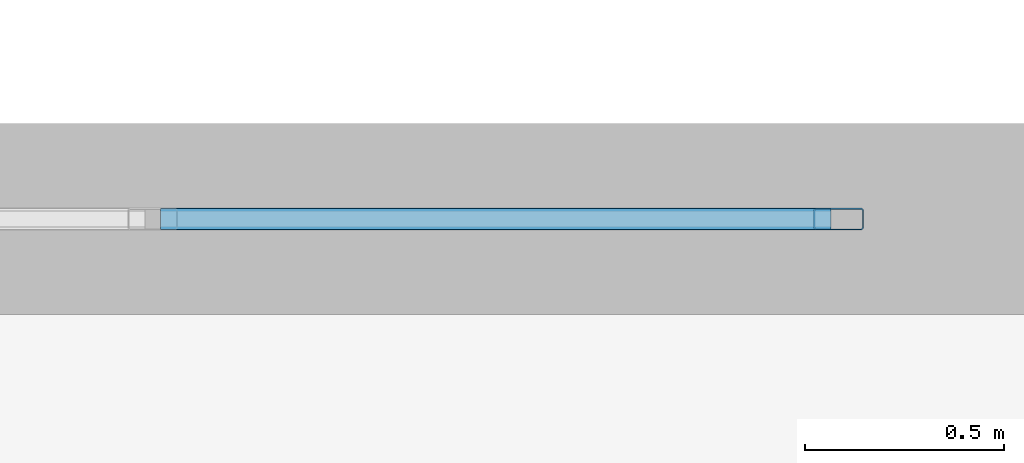
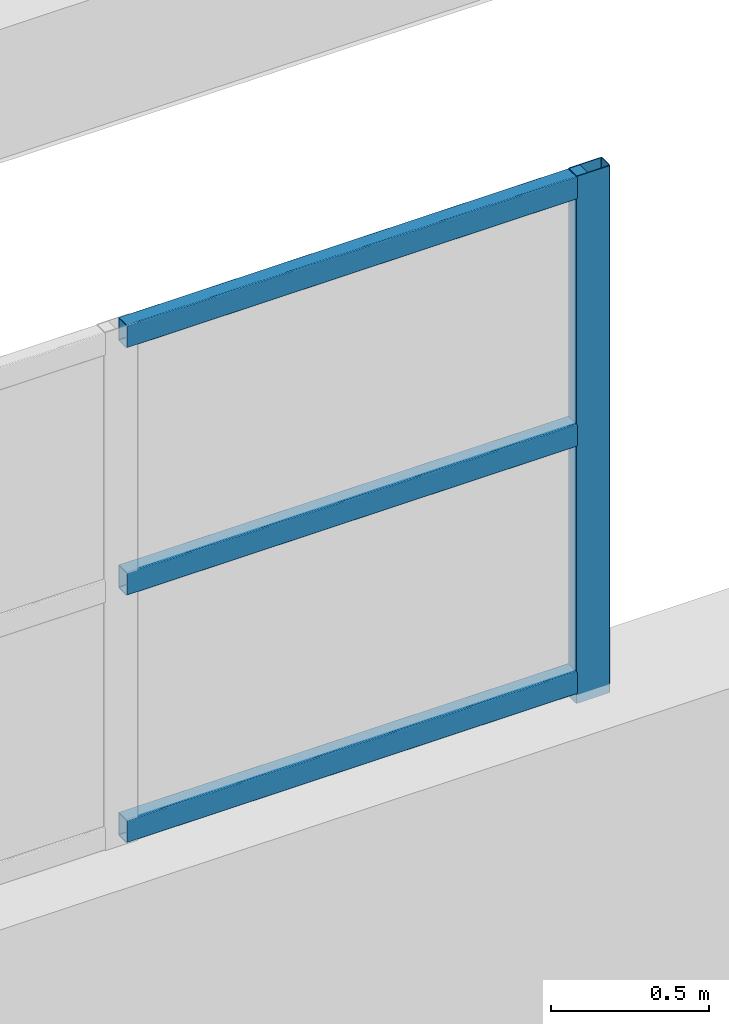
# One storey, part 23 of 197: 4 members, 1 element without a shape of its own.
"""IFC4 building model written with IfcOpenShell, lengths in metres."""

from ifc_helpers import new_model, si_unit, derived_unit, direction, frame, origin, origin_2d, place, context, subcontext, project, spatial, hollow_rectangle, extrude, material, layer, layer_set, material_profile, profile_set, type_object, element, aggregate, save


model = new_model("IFC4")

# Units and contexts
model_context = context("Model", 3, precision=1e-05, world=origin(), true_north=direction((0.0, 1.0)))
body_context = subcontext(model_context, "Body", "Model", "MODEL_VIEW")
ifc_project = project(units=[si_unit("LENGTHUNIT", "METRE"), si_unit("AREAUNIT", "SQUARE_METRE"), si_unit("VOLUMEUNIT", "CUBIC_METRE"), si_unit("PLANEANGLEUNIT", "RADIAN"), si_unit("MASSUNIT", "GRAM", prefix="KILO"), derived_unit("THERMALTRANSMITTANCEUNIT", [(si_unit("POWERUNIT", "WATT"), 1), (si_unit("LENGTHUNIT", "METRE"), -2), (si_unit("THERMODYNAMICTEMPERATUREUNIT", "KELVIN"), -1)])], contexts=[model_context])

# Site, building, storey
site_placement = place(None, origin())
site = spatial("IfcSite", under=ifc_project, at=site_placement, CompositionType="ELEMENT")
building_placement = place(site_placement, origin())
building = spatial("IfcBuilding", under=site, at=building_placement, Name="Almenara Railside Exhibition Hall", CompositionType="ELEMENT")
storey_placement = place(building_placement, frame((0.0, 0.0, 5.39990234375)))
storey = spatial("IfcBuildingStorey", under=building, at=storey_placement, Name="L01", CompositionType="ELEMENT", Elevation=5.39990234375)

# Curtain wall, members
ifc_material_1 = material(Name="Bronze-anodised aluminium and low-E double glazing", Category="aluminium")
ifc_layer = layer(ifc_material_1, 0.179931640625, Name="Bronze-anodised aluminium and low-E double glazing")
ifc_layer_set = layer_set([ifc_layer], Name="Bronze-anodised aluminium and low-E double glazing")
curtain_wall_type = type_object("IfcCurtainWallType", Name="Plenary Clerestory Curtain Wall 3500x2000", PredefinedType="NOTDEFINED", material=ifc_layer_set)
curtain_wall_placement = place(storey_placement, origin())
curtain_wall = element("IfcCurtainWall", 1, at=curtain_wall_placement, inside=storey, type_object=curtain_wall_type, Name="Curtain wall CW-CL5-098", PredefinedType="NOTDEFINED")
ifc_material_2 = material(Name="Bronze-anodised aluminium", Category="aluminium")
ifc_material_profile_1 = material_profile(ifc_material_2, hollow_rectangle(XDim=0.054931640625, YDim=0.125, WallThickness=0.0029296875, InnerFilletRadius=0.0029296875, OuterFilletRadius=0.006103515625, at=origin_2d()), Name="ALU-MUL 55x125x3")
ifc_profile_set_1 = profile_set([ifc_material_profile_1], Name="Bronze-anodised aluminium")
member_type_1 = type_object("IfcMemberType", Name="Curtain Wall Mullion 55x125x3", PredefinedType="MULLION", material=ifc_profile_set_1)
member_1_placement = place(storey_placement, frame((27.172607421875, 42.0, 1.815185546875), z_axis=(0.0, 0.0, 1.0), x_axis=(0.0, 1.0, 0.0)))
member_1 = element("IfcMember", 2, at=member_1_placement, type_object=member_type_1, Name="CW-CL5-098 mullion 3", PredefinedType="MULLION", context=body_context, shape_type="SweptSolid", body=[
    extrude(hollow_rectangle(XDim=0.054931640625, YDim=0.125, WallThickness=0.0029296875, InnerFilletRadius=0.0029296875, OuterFilletRadius=0.006103515625, at=origin_2d()), origin(), (0.0, 0.0, 1.0), 2.034912109375),
])
ifc_material_profile_2 = material_profile(ifc_material_2, hollow_rectangle(XDim=0.054931640625, YDim=0.090087890625, WallThickness=0.0029296875, InnerFilletRadius=0.0029296875, OuterFilletRadius=0.006103515625, at=origin_2d()), Name="ALU-TRN 55x90x3")
ifc_profile_set_2 = profile_set([ifc_material_profile_2], Name="Bronze-anodised aluminium")
member_type_2 = type_object("IfcMemberType", Name="Curtain Wall Transom 55x90x3", PredefinedType="USERDEFINED", material=ifc_profile_set_2)
member_2_placement = place(storey_placement, frame((25.469482421875, 42.0, 1.89501953125), z_axis=(1.0, 0.0, 0.0), x_axis=(0.0, 1.0, 0.0)))
member_2 = element("IfcMember", 3, at=member_2_placement, type_object=member_type_2, Name="CW-CL5-098 transom 2.1", ObjectType="TRANSOM", PredefinedType="USERDEFINED", context=body_context, shape_type="SweptSolid", body=[
    extrude(hollow_rectangle(XDim=0.054931640625, YDim=0.090087890625, WallThickness=0.0029296875, InnerFilletRadius=0.0029296875, OuterFilletRadius=0.006103515625, at=origin_2d()), origin(), (0.0, 0.0, 1.0), 1.68359375),
])
member_3_placement = place(storey_placement, frame((25.469482421875, 42.0, 2.85009765625), z_axis=(1.0, 0.0, 0.0), x_axis=(0.0, 1.0, 0.0)))
member_3 = element("IfcMember", 4, at=member_3_placement, type_object=member_type_2, Name="CW-CL5-098 transom 2.2", ObjectType="TRANSOM", PredefinedType="USERDEFINED", context=body_context, shape_type="SweptSolid", body=[
    extrude(hollow_rectangle(XDim=0.054931640625, YDim=0.090087890625, WallThickness=0.0029296875, InnerFilletRadius=0.0029296875, OuterFilletRadius=0.006103515625, at=origin_2d()), origin(), (0.0, 0.0, 1.0), 1.68359375),
])
member_4_placement = place(storey_placement, frame((25.469482421875, 42.0, 3.80517578125), z_axis=(1.0, 0.0, 0.0), x_axis=(0.0, 1.0, 0.0)))
member_4 = element("IfcMember", 5, at=member_4_placement, type_object=member_type_2, Name="CW-CL5-098 transom 2.3", ObjectType="TRANSOM", PredefinedType="USERDEFINED", context=body_context, shape_type="SweptSolid", body=[
    extrude(hollow_rectangle(XDim=0.054931640625, YDim=0.090087890625, WallThickness=0.0029296875, InnerFilletRadius=0.0029296875, OuterFilletRadius=0.006103515625, at=origin_2d()), origin(), (0.0, 0.0, 1.0), 1.68359375),
])
aggregate(curtain_wall, [member_1, member_2, member_3, member_4])

save(model, "model.ifc")
